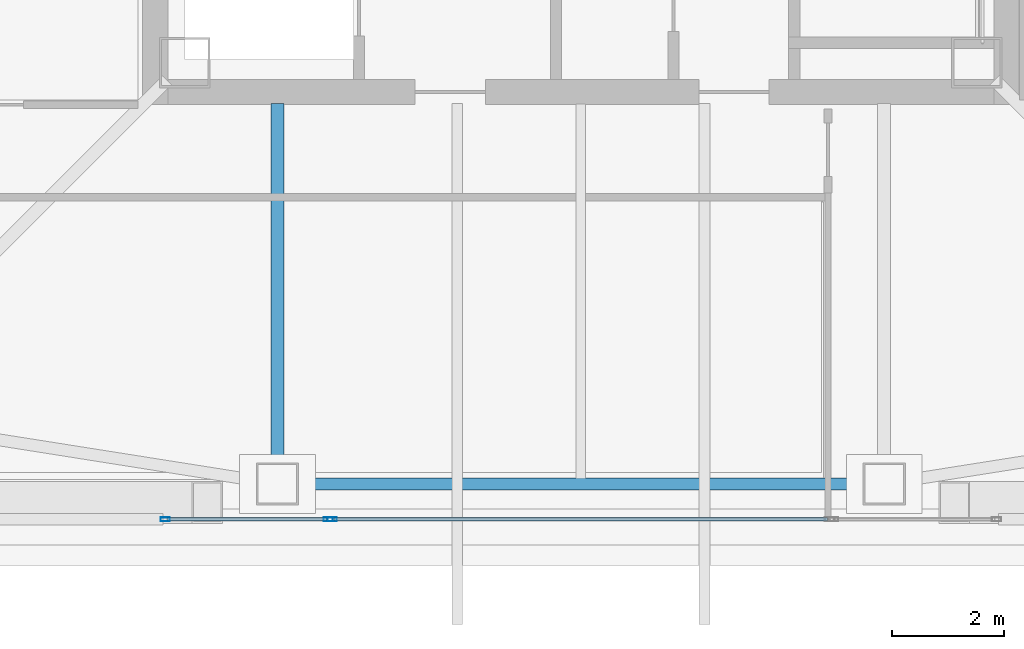
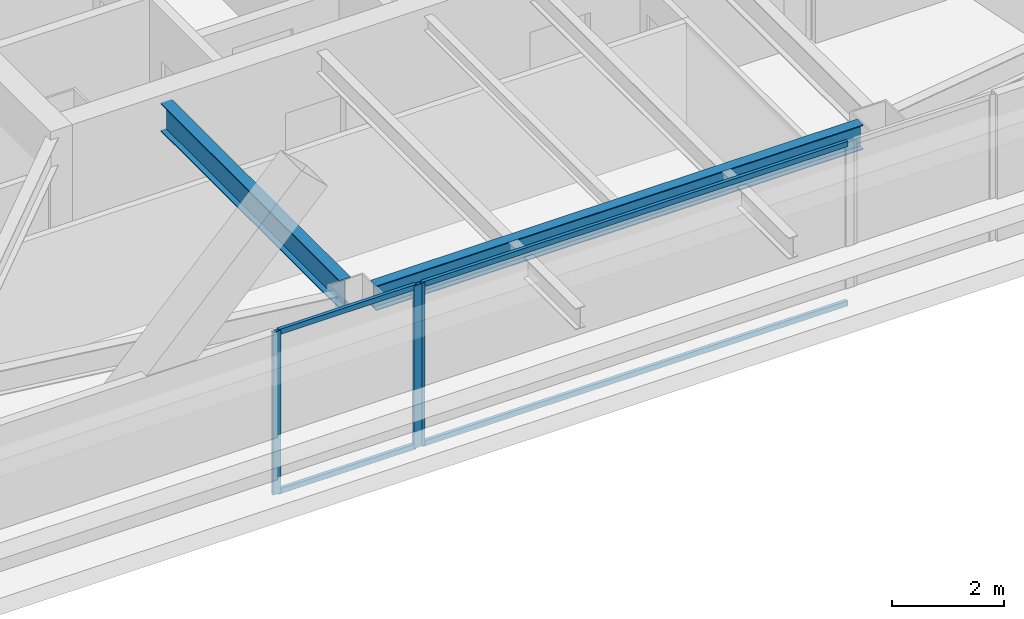
# One storey, part 7 of 37: 7 members, 2 beams, 2 elements without a shape of their own.
"""IFC4 building model written with IfcOpenShell, lengths in metres."""

from ifc_helpers import new_model, si_unit, direction, frame, origin, origin_2d, place, context, subcontext, project, spatial, hollow_rectangle, i_section, extrude, material, material_profile, profile_set, type_object, element, aggregate, save


model = new_model("IFC4")

# Units and contexts
model_context = context("Model", 3, precision=1e-05, world=origin(), true_north=direction((0.0, 1.0)))
body_context = subcontext(model_context, "Body", "Model", "MODEL_VIEW")
ifc_project = project(units=[si_unit("LENGTHUNIT", "METRE"), si_unit("AREAUNIT", "SQUARE_METRE"), si_unit("VOLUMEUNIT", "CUBIC_METRE"), si_unit("PLANEANGLEUNIT", "RADIAN"), si_unit("MASSUNIT", "GRAM", prefix="KILO")], contexts=[model_context])

# Site, building, storey
site_placement = place(None, origin())
site = spatial("IfcSite", under=ifc_project, at=site_placement, CompositionType="ELEMENT")
building_placement = place(site_placement, origin())
building = spatial("IfcBuilding", under=site, at=building_placement, Name="Tashvorn Skyway Center", CompositionType="ELEMENT")
storey_placement = place(building_placement, frame((0.0, 0.0, 263.39990234375)))
storey = spatial("IfcBuildingStorey", under=building, at=storey_placement, Name="L71", CompositionType="ELEMENT", Elevation=263.39990234375)

# Beams
ifc_material_1 = material(Name="Steel ASTM A992 Grade 50", Category="steel")
ifc_material_profile_1 = material_profile(ifc_material_1, i_section(OverallWidth=0.22998046875, OverallDepth=0.616943359375, WebThickness=0.01318359375, FlangeThickness=0.022216796875, at=origin_2d()), Name="W24X94")
ifc_profile_set_1 = profile_set([ifc_material_profile_1], Name="Steel ASTM A992 Grade 50")
beam_type_1 = type_object("IfcBeamType", Name="BM-BEAM-W24X94", PredefinedType="BEAM", material=ifc_profile_set_1)
beam_1_placement = place(storey_placement, frame((36.60009765625, 17.820068359375, 3.0615234375), z_axis=(0.0, 1.0, 0.0), x_axis=(-1.0, 0.0, 0.0)))
element("IfcBeam", 1, at=beam_1_placement, inside=storey, type_object=beam_type_1, Name="Tower 1 L71 Primary Floor Girder FC-S1", PredefinedType="BEAM", context=body_context, shape_type="SweptSolid", body=[
    extrude(i_section(OverallWidth=0.22998046875, OverallDepth=0.616943359375, WebThickness=0.01318359375, FlangeThickness=0.022216796875, at=origin_2d()), origin(), (0.0, 0.0, 1.0), 6.39990234375),
])
ifc_material_profile_2 = material_profile(ifc_material_1, i_section(OverallWidth=0.2109375, OverallDepth=0.5390625, WebThickness=0.01171875, FlangeThickness=0.018798828125, at=origin_2d()), Name="W21X73")
ifc_profile_set_2 = profile_set([ifc_material_profile_2], Name="Steel ASTM A992 Grade 50")
beam_type_2 = type_object("IfcBeamType", Name="BM-SPANDREL-W21X73", PredefinedType="SPANDREL", material=ifc_profile_set_2)
beam_2_placement = place(storey_placement, frame((36.969970703125, 17.449951171875, 3.1005859375), z_axis=(1.0, 0.0, 0.0), x_axis=(0.0, 1.0, 0.0)))
element("IfcBeam", 2, at=beam_2_placement, inside=storey, type_object=beam_type_2, Name="Tower 1 L71 Spandrel Beam 02", PredefinedType="SPANDREL", context=body_context, shape_type="SweptSolid", body=[
    extrude(i_section(OverallWidth=0.2109375, OverallDepth=0.5390625, WebThickness=0.01171875, FlangeThickness=0.018798828125, at=origin_2d()), origin(), (0.0, 0.0, 1.0), 10.06005859375),
])

# Curtain wall, member
ifc_material_2 = material(Name="Thermally broken bronze-anodized aluminium 6063-T6", Category="aluminium")
curtain_wall_type = type_object("IfcCurtainWallType", Name="CW-CW-Z5", PredefinedType="NOTDEFINED", material=ifc_material_2)
curtain_wall_1_placement = place(storey_placement, origin())
curtain_wall_1 = element("IfcCurtainWall", 3, at=curtain_wall_1_placement, inside=storey, type_object=curtain_wall_type, Name="Tower 1 L71 South Unitised Curtain Wall Glazing Group 2", PredefinedType="NOTDEFINED")
ifc_material_profile_3 = material_profile(ifc_material_2, hollow_rectangle(XDim=0.070068359375, YDim=0.1650390625, WallThickness=0.00390625, at=origin_2d()), Name="ALU-MULL-70x165")
ifc_profile_set_3 = profile_set([ifc_material_profile_3], Name="Thermally broken bronze-anodized aluminium 6063-T6")
member_type_1 = type_object("IfcMemberType", Name="CWM-CW-Z5", PredefinedType="MULLION", material=ifc_profile_set_3)
member_1_placement = place(storey_placement, frame((37.574951171875, 16.820068359375, 0.0), z_axis=(0.0, 0.0, 1.0), x_axis=(0.0, -1.0, 0.0)))
member_1 = element("IfcMember", 4, at=member_1_placement, type_object=member_type_1, Name="CW-Z5 mullion 2", PredefinedType="MULLION", context=body_context, shape_type="SweptSolid", body=[
    extrude(hollow_rectangle(XDim=0.070068359375, YDim=0.1650390625, WallThickness=0.00390625, at=origin_2d()), origin(), (0.0, 0.0, 1.0), 3.550048828125),
])

# Curtain wall, members
curtain_wall_2_placement = place(storey_placement, origin())
curtain_wall_2 = element("IfcCurtainWall", 5, at=curtain_wall_2_placement, inside=storey, type_object=curtain_wall_type, Name="Tower 1 L71 South Unitised Curtain Wall Glazing Group 3", PredefinedType="NOTDEFINED")
member_2_placement = place(storey_placement, frame((37.5048828125, 16.820068359375, 0.0), z_axis=(0.0, 0.0, 1.0), x_axis=(0.0, -1.0, 0.0)))
member_2 = element("IfcMember", 6, at=member_2_placement, type_object=member_type_1, Name="CW-Z5 mullion 1", PredefinedType="MULLION", context=body_context, shape_type="SweptSolid", body=[
    extrude(hollow_rectangle(XDim=0.070068359375, YDim=0.1650390625, WallThickness=0.00390625, at=origin_2d()), origin(), (0.0, 0.0, 1.0), 3.550048828125),
])
member_3_placement = place(storey_placement, frame((34.601806640625, 16.820068359375, 0.0), z_axis=(0.0, 0.0, 1.0), x_axis=(0.0, -1.0, 0.0)))
member_3 = element("IfcMember", 7, at=member_3_placement, type_object=member_type_1, Name="CW-Z5 mullion 2", PredefinedType="MULLION", context=body_context, shape_type="SweptSolid", body=[
    extrude(hollow_rectangle(XDim=0.070068359375, YDim=0.1650390625, WallThickness=0.00390625, at=origin_2d()), origin(), (0.0, 0.0, 1.0), 3.550048828125),
])

# Member
ifc_material_profile_4 = material_profile(ifc_material_2, hollow_rectangle(XDim=0.070068359375, YDim=0.114990234375, WallThickness=0.00390625, at=origin_2d()), Name="ALU-TRAN-70x115")
ifc_profile_set_4 = profile_set([ifc_material_profile_4], Name="Thermally broken bronze-anodized aluminium 6063-T6")
member_type_2 = type_object("IfcMemberType", Name="CWT-CW-Z5", PredefinedType="USERDEFINED", material=ifc_profile_set_4)
member_4_placement = place(storey_placement, frame((46.389892578125, 16.820068359375, 0.03515625), z_axis=(-1.0, 0.0, 0.0), x_axis=(0.0, -1.0, 0.0)))
member_4 = element("IfcMember", 8, at=member_4_placement, type_object=member_type_2, Name="CW-Z5 transom 1.1", ObjectType="TRANSOM", PredefinedType="USERDEFINED", context=body_context, shape_type="SweptSolid", body=[
    extrude(hollow_rectangle(XDim=0.070068359375, YDim=0.114990234375, WallThickness=0.00390625, at=origin_2d()), origin(), (0.0, 0.0, 1.0), 8.77978515625),
])

member_5_placement = place(storey_placement, frame((46.389892578125, 16.820068359375, 3.51513671875), z_axis=(-1.0, 0.0, 0.0), x_axis=(0.0, -1.0, 0.0)))
member_5 = element("IfcMember", 9, at=member_5_placement, type_object=member_type_2, Name="CW-Z5 transom 1.2", ObjectType="TRANSOM", PredefinedType="USERDEFINED", context=body_context, shape_type="SweptSolid", body=[
    extrude(hollow_rectangle(XDim=0.070068359375, YDim=0.114990234375, WallThickness=0.00390625, at=origin_2d()), origin(), (0.0, 0.0, 1.0), 8.77978515625),
])

aggregate(curtain_wall_1, [member_1, member_4, member_5])

member_6_placement = place(storey_placement, frame((37.469970703125, 16.820068359375, 0.03515625), z_axis=(-1.0, 0.0, 0.0), x_axis=(0.0, -1.0, 0.0)))
member_6 = element("IfcMember", 10, at=member_6_placement, type_object=member_type_2, Name="CW-Z5 transom 1.1", ObjectType="TRANSOM", PredefinedType="USERDEFINED", context=body_context, shape_type="SweptSolid", body=[
    extrude(hollow_rectangle(XDim=0.070068359375, YDim=0.114990234375, WallThickness=0.00390625, at=origin_2d()), origin(), (0.0, 0.0, 1.0), 2.833251953125),
])

member_7_placement = place(storey_placement, frame((37.469970703125, 16.820068359375, 3.51513671875), z_axis=(-1.0, 0.0, 0.0), x_axis=(0.0, -1.0, 0.0)))
member_7 = element("IfcMember", 11, at=member_7_placement, type_object=member_type_2, Name="CW-Z5 transom 1.2", ObjectType="TRANSOM", PredefinedType="USERDEFINED", context=body_context, shape_type="SweptSolid", body=[
    extrude(hollow_rectangle(XDim=0.070068359375, YDim=0.114990234375, WallThickness=0.00390625, at=origin_2d()), origin(), (0.0, 0.0, 1.0), 2.833251953125),
])

aggregate(curtain_wall_2, [member_2, member_3, member_6, member_7])

save(model, "model.ifc")
